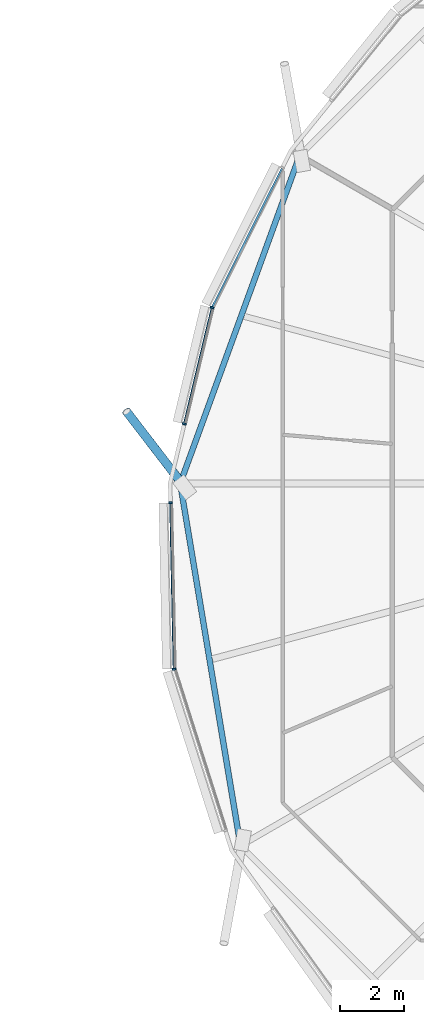
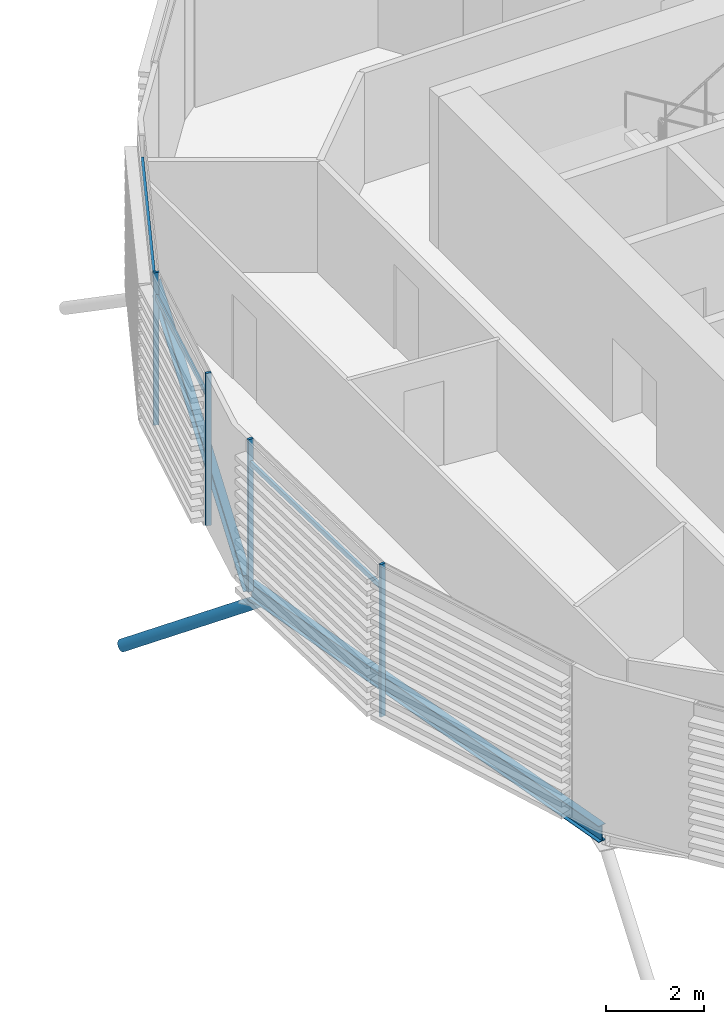
# One storey, part 9 of 38: 8 members, 2 beams, 1 element without a shape of its own.
"""IFC4 building model written with IfcOpenShell, lengths in metres."""

from ifc_helpers import new_model, si_unit, direction, frame, origin, origin_2d, place, context, subcontext, project, spatial, rectangle, hollow_circle, i_section, extrude, clip, halfspace, material, material_profile, profile_set, type_object, element, aggregate, save


model = new_model("IFC4")

# Units and contexts
model_context = context("Model", 3, precision=1e-05, world=origin(), true_north=direction((0.0, 1.0)))
body_context = subcontext(model_context, "Body", "Model", "MODEL_VIEW")
ifc_project = project(units=[si_unit("LENGTHUNIT", "METRE"), si_unit("AREAUNIT", "SQUARE_METRE"), si_unit("VOLUMEUNIT", "CUBIC_METRE"), si_unit("PLANEANGLEUNIT", "RADIAN"), si_unit("MASSUNIT", "GRAM", prefix="KILO")], contexts=[model_context])

# Site, building, storey
site_placement = place(None, origin())
site = spatial("IfcSite", under=ifc_project, at=site_placement, CompositionType="ELEMENT")
building_placement = place(site_placement, origin())
building = spatial("IfcBuilding", under=site, at=building_placement, Name="Rimbun Link Towers", CompositionType="ELEMENT")
storey_placement = place(building_placement, frame((0.0, 0.0, 123.39990234375)))
storey = spatial("IfcBuildingStorey", under=building, at=storey_placement, Name="L30", CompositionType="ELEMENT", Elevation=123.39990234375)

# Curtain wall, members
ifc_material_1 = material(Name="Aluminium 6063-T6 and low-iron glass", Category="aluminium")
curtain_wall_type = type_object("IfcCurtainWallType", Name="CW1-Z2 unitised vision wall (zone 2)", PredefinedType="NOTDEFINED", material=ifc_material_1)
curtain_wall_placement = place(storey_placement, origin())
curtain_wall = element("IfcCurtainWall", 1, at=curtain_wall_placement, inside=storey, type_object=curtain_wall_type, Name="CW1 L30 T2", PredefinedType="NOTDEFINED")
ifc_material_2 = material(Name="Aluminium 6063-T6", Category="aluminium")
ifc_material_profile_1 = material_profile(ifc_material_2, rectangle(XDim=0.1201171875, YDim=0.06005859375, at=origin_2d()), Name="MULLION 60X120")
ifc_profile_set_1 = profile_set([ifc_material_profile_1], Name="Aluminium 6063-T6")
member_type_1 = type_object("IfcMemberType", Name="CW1 mullion 60X120", PredefinedType="MULLION", material=ifc_profile_set_1)
member_1_placement = place(storey_placement, frame((11.27197265625, 5.49267578125, 0.0), z_axis=(0.0, 0.0, 1.0), x_axis=(-0.939344696127, 0.342974549868, 0.0)))
member_1 = element("IfcMember", 2, at=member_1_placement, type_object=member_type_1, Name="CW1 mullion", PredefinedType="MULLION", context=body_context, shape_type="SweptSolid", body=[
    extrude(rectangle(XDim=0.1201171875, YDim=0.06005859375, at=origin_2d()), origin(), (0.0, 0.0, 1.0), 3.800048828125),
])
member_2_placement = place(storey_placement, frame((10.4033203125, 1.86181640625, 0.0), z_axis=(0.0, 0.0, 1.0), x_axis=(-0.972571724543, 0.232603182737, 0.0)))
member_2 = element("IfcMember", 3, at=member_2_placement, type_object=member_type_1, Name="CW1 mullion", PredefinedType="MULLION", context=body_context, shape_type="SweptSolid", body=[
    extrude(rectangle(XDim=0.1201171875, YDim=0.06005859375, at=origin_2d()), origin(), (0.0, 0.0, 1.0), 3.800048828125),
])
member_3_placement = place(storey_placement, frame((10.08251953125, -5.7998046875, 0.0), z_axis=(0.0, 0.0, 1.0), x_axis=(-0.98650165311, -0.163751300484, 0.0)))
member_3 = element("IfcMember", 4, at=member_3_placement, type_object=member_type_1, Name="CW1 mullion", PredefinedType="MULLION", context=body_context, shape_type="SweptSolid", body=[
    extrude(rectangle(XDim=0.1201171875, YDim=0.06005859375, at=origin_2d()), origin(), (0.0, 0.0, 1.0), 3.800048828125),
])
member_4_placement = place(storey_placement, frame((9.972412109375, -0.60107421875, 0.0), z_axis=(0.0, 0.0, 1.0), x_axis=(-0.999778076675, -0.02106649948, 0.0)))
member_4 = element("IfcMember", 5, at=member_4_placement, type_object=member_type_1, Name="CW1 mullion", PredefinedType="MULLION", context=body_context, shape_type="SweptSolid", body=[
    extrude(rectangle(XDim=0.1201171875, YDim=0.06005859375, at=origin_2d()), origin(), (0.0, 0.0, 1.0), 3.800048828125),
])
ifc_material_3 = material(Name="Aluminium 6063-T6", Category="aluminium")
ifc_material_profile_2 = material_profile(ifc_material_3, rectangle(XDim=0.06005859375, YDim=0.1201171875, at=origin_2d()), Name="TRANSOM 60X120")
ifc_profile_set_2 = profile_set([ifc_material_profile_2], Name="Aluminium 6063-T6")
member_type_2 = type_object("IfcMemberType", Name="CW1 transom 60X120", PredefinedType="USERDEFINED", material=ifc_profile_set_2)
member_5_placement = place(storey_placement, frame((11.2900390625, 5.52490234375, 3.2001953125), z_axis=(0.44877263084, 0.893645973419, 0.0), x_axis=(-0.893645973419, 0.44877263084, 0.0)))
member_5 = element("IfcMember", 6, at=member_5_placement, type_object=member_type_2, Name="CW1 transom", ObjectType="TRANSOM", PredefinedType="USERDEFINED", context=body_context, shape_type="SweptSolid", body=[
    extrude(rectangle(XDim=0.06005859375, YDim=0.1201171875, at=origin_2d()), origin(), (0.0, 0.0, 1.0), 4.821044921875),
])
member_6_placement = place(storey_placement, frame((10.412109375, 1.890625, 3.2001953125), z_axis=(0.232604707954, 0.972571359766, 0.0), x_axis=(-0.972571359766, 0.232604707954, 0.0)))
member_6 = element("IfcMember", 7, at=member_6_placement, type_object=member_type_2, Name="CW1 transom", ObjectType="TRANSOM", PredefinedType="USERDEFINED", context=body_context, shape_type="SweptSolid", body=[
    extrude(rectangle(XDim=0.06005859375, YDim=0.1201171875, at=origin_2d()), origin(), (0.0, 0.0, 1.0), 3.666259765625),
])
member_7_placement = place(storey_placement, frame((10.0830078125, -5.76123046875, 3.2001953125), z_axis=(-0.02102994575, 0.999778846236, 0.0), x_axis=(-0.999778846236, -0.02102994575, 0.0)))
member_7 = element("IfcMember", 8, at=member_7_placement, type_object=member_type_2, Name="CW1 transom", ObjectType="TRANSOM", PredefinedType="USERDEFINED", context=body_context, shape_type="SweptSolid", body=[
    extrude(rectangle(XDim=0.06005859375, YDim=0.1201171875, at=origin_2d()), origin(), (0.0, 0.0, 1.0), 5.13134765625),
])
aggregate(curtain_wall, [member_1, member_2, member_3, member_4, member_5, member_6, member_7])

# Member
ifc_material_4 = material(Name="Steel S355J2H", Category="steel")
ifc_material_profile_3 = material_profile(ifc_material_4, hollow_circle(Radius=0.136474609375, WallThickness=0.012451171875, at=origin_2d()), Name="CHS 273x12.5")
ifc_profile_set_3 = profile_set([ifc_material_profile_3], Name="Steel S355J2H")
member_type_3 = type_object("IfcMemberType", Name="Floor edge link CHS 273x12.5", PredefinedType="BRACE", material=ifc_profile_set_3)
member_8_placement = place(storey_placement, frame((10.326904296875, 0.0, -0.808349609375), z_axis=(-0.514225767371, 0.669906803073, -0.535534065553), x_axis=(-0.793245700705, -0.608901681976, 0.0)))
element("IfcMember", 9, at=member_8_placement, inside=storey, type_object=member_type_3, Name="Floor edge link T2 L30 09", PredefinedType="BRACE", context=body_context, shape_type="Clipping", body=[
    clip(extrude(hollow_circle(Radius=0.136474609375, WallThickness=0.012451171875, at=origin_2d()), frame((0.0, 0.0, -0.44921875)), (0.0, 0.0, 1.0), 3.817626953125), halfspace(frame((0.0, 0.0, -0.211669921875), z_axis=(0.0, 0.844513626078, -0.535534065553)), False)),
])

# Beams
ifc_material_5 = material(Name="Steel S355J2", Category="steel")
ifc_material_profile_4 = material_profile(ifc_material_5, i_section(OverallWidth=0.177978515625, OverallDepth=0.406494140625, WebThickness=0.0078125, FlangeThickness=0.0126953125, at=origin_2d()), Name="UB 406x178x60")
ifc_profile_set_4 = profile_set([ifc_material_profile_4], Name="Steel S355J2")
beam_type = type_object("IfcBeamType", Name="UB 406x178x60", PredefinedType="BEAM", material=ifc_profile_set_4)
beam_1_placement = place(storey_placement, frame((13.977294921875, 10.160888671875, -0.363037109375), z_axis=(-0.342211959169, -0.939622783356, 0.0), x_axis=(0.939622783356, -0.342211959169, 0.0)))
element("IfcBeam", 10, at=beam_1_placement, inside=storey, type_object=beam_type, Name="Edge beam T2 L30 07-09", PredefinedType="BEAM", context=body_context, shape_type="SweptSolid", body=[
    extrude(i_section(OverallWidth=0.177978515625, OverallDepth=0.406494140625, WebThickness=0.0078125, FlangeThickness=0.0126953125, at=origin_2d()), origin(), (0.0, 0.0, 1.0), 10.701171875),
])
beam_2_placement = place(storey_placement, frame((10.294189453125, -0.105712890625, -0.363037109375), z_axis=(0.164226647756, -0.986422631617, 0.0), x_axis=(0.986422631617, 0.164226647756, 0.0)))
element("IfcBeam", 11, at=beam_2_placement, inside=storey, type_object=beam_type, Name="Edge beam T2 L30 09-11", PredefinedType="BEAM", context=body_context, shape_type="SweptSolid", body=[
    extrude(i_section(OverallWidth=0.177978515625, OverallDepth=0.406494140625, WebThickness=0.0078125, FlangeThickness=0.0126953125, at=origin_2d()), origin(), (0.0, 0.0, 1.0), 11.256591796875),
])

save(model, "model.ifc")
